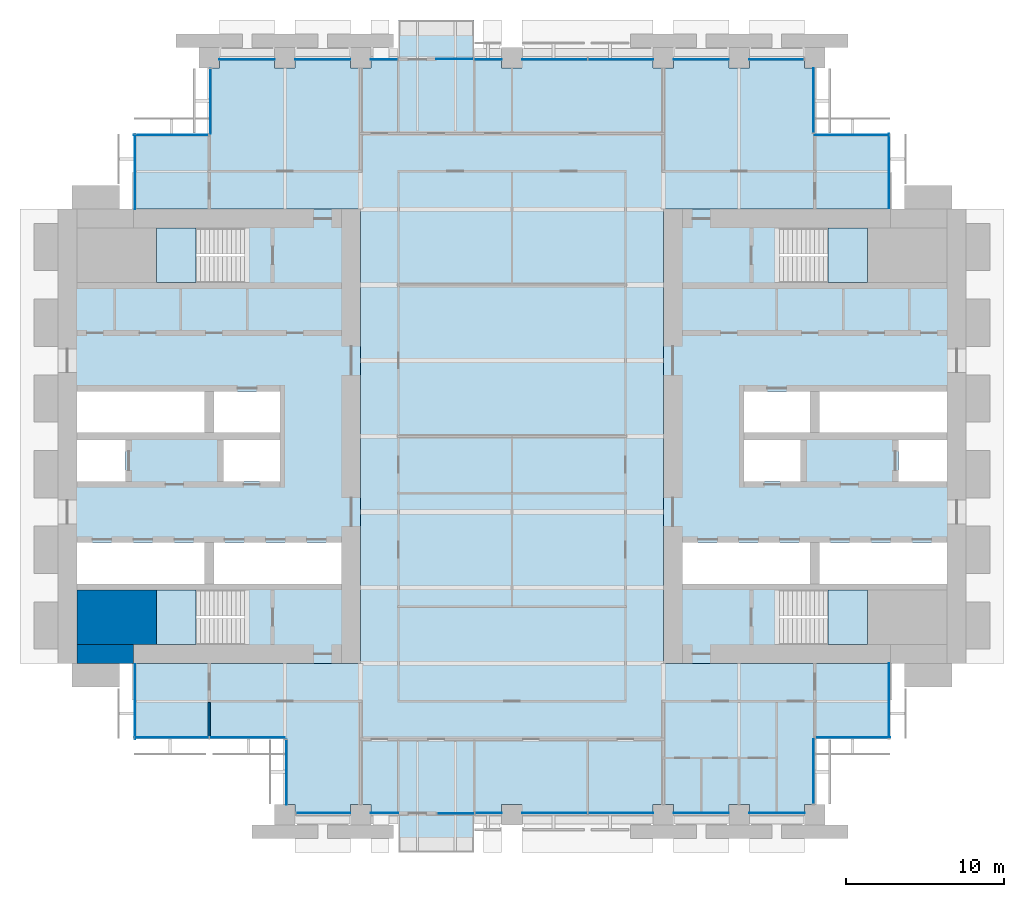
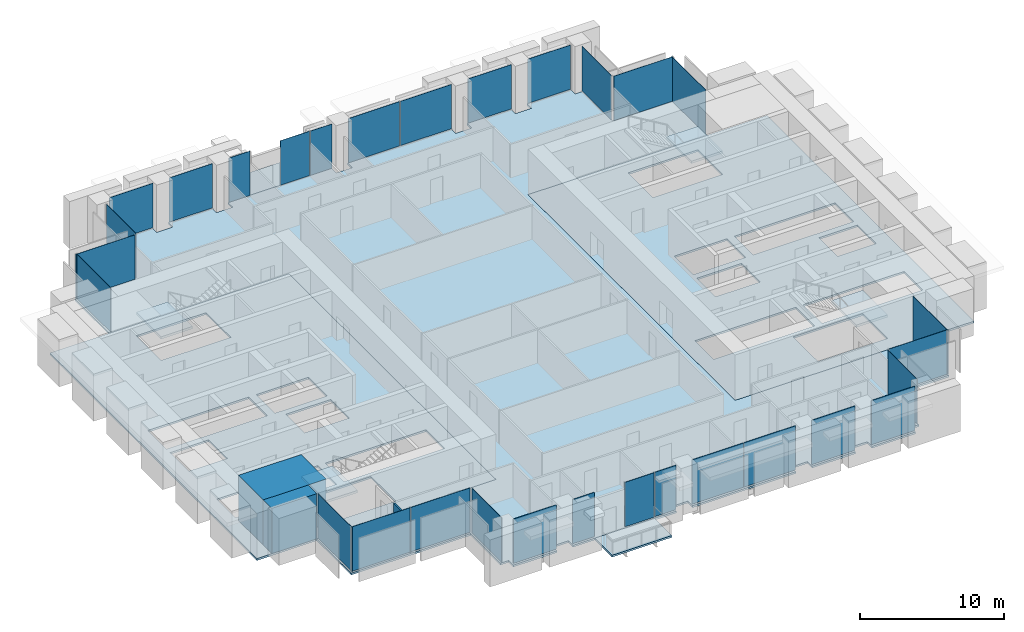
# One storey, part 8 of 15: 30 plates, 9 slabs, 3 walls, 22 elements without a shape of their own.
"""IFC4 building model written with IfcOpenShell, lengths in metres."""

from ifc_helpers import new_model, si_unit, direction, frame, frame_2d, origin, origin_2d, place, context, subcontext, project, spatial, polyline, rectangle, outline, extrude, material, layer, layer_set, type_object, element, aggregate, save


model = new_model("IFC4")

# Units and contexts
model_context = context("Model", 3, precision=1e-05, world=origin(), true_north=direction((0.0, 1.0)))
body_context = subcontext(model_context, "Body", "Model", "MODEL_VIEW")
ifc_project = project(units=[si_unit("LENGTHUNIT", "METRE"), si_unit("AREAUNIT", "SQUARE_METRE"), si_unit("VOLUMEUNIT", "CUBIC_METRE"), si_unit("PLANEANGLEUNIT", "RADIAN"), si_unit("MASSUNIT", "GRAM", prefix="KILO")], contexts=[model_context])

# Site, building, storey
site_placement = place(None, origin())
site = spatial("IfcSite", under=ifc_project, at=site_placement, CompositionType="ELEMENT")
building_placement = place(site_placement, origin())
building = spatial("IfcBuilding", under=site, at=building_placement, Name="Baori Bourse Tower", CompositionType="ELEMENT")
storey_placement = place(building_placement, frame((0.0, 0.0, 47.0)))
storey = spatial("IfcBuildingStorey", under=building, at=storey_placement, Name="L09", CompositionType="ELEMENT", Elevation=47.0)

# Slabs
ifc_material_1 = material(Name="Concrete f'c 40 MPa", Category="concrete")
ifc_layer_1 = layer(ifc_material_1, 0.159912109375)
ifc_layer_set_1 = layer_set([ifc_layer_1], Name="BL2 Balcony slab 160")
slab_type_1 = type_object("IfcSlabType", Name="BL2 Balcony slab 160", PredefinedType="FLOOR", material=ifc_layer_set_1)
slab_1_placement = place(storey_placement, frame((0.0, 0.0, -0.159912109375)))
element("IfcSlab", 1, at=slab_1_placement, inside=storey, type_object=slab_type_1, Name="Balcony slab L09 S", PredefinedType="FLOOR", context=body_context, shape_type="SweptSolid", body=[
    extrude(outline(polyline([(21.60009765625, 0.0), (21.60009765625, -2.39990234375), (26.39990234375, -2.39990234375), (26.39990234375, 0.0), (21.60009765625, 0.0)])), origin(), (0.0, 0.0, 1.0), 0.159912109375),
])
slab_2_placement = place(storey_placement, frame((0.0, 0.0, -0.159912109375)))
element("IfcSlab", 2, at=slab_2_placement, inside=storey, type_object=slab_type_1, Name="Balcony slab L09 N", PredefinedType="FLOOR", context=body_context, shape_type="SweptSolid", body=[
    extrude(outline(polyline([(21.60009765625, 48.0), (26.39990234375, 48.0), (26.39990234375, 50.39990234375), (21.60009765625, 50.39990234375), (21.60009765625, 48.0)])), origin(), (0.0, 0.0, 1.0), 0.159912109375),
])

# Curtain wall, plates
ifc_material_2 = material(Name="Pale anodised aluminium", Category="aluminium")
curtain_wall_type_1 = type_object("IfcCurtainWallType", Name="CW1 Curtain wall", PredefinedType="NOTDEFINED", material=ifc_material_2)
curtain_wall_1_placement = place(storey_placement, origin())
curtain_wall_1 = element("IfcCurtainWall", 3, at=curtain_wall_1_placement, inside=storey, type_object=curtain_wall_type_1, Name="Curtain wall CW1 L09 4", PredefinedType="NOTDEFINED")
ifc_material_3 = material(Name="Clear glass", Category="glass")
ifc_layer_2 = layer(ifc_material_3, 0.033935546875)
ifc_layer_set_2 = layer_set([ifc_layer_2], Name="CW1 Curtain wall panel")
plate_type_1 = type_object("IfcPlateType", Name="CW1 Curtain wall panel", PredefinedType="CURTAIN_PANEL", material=ifc_layer_set_2)
plate_1_placement = place(storey_placement, frame((45.570068359375, 47.89990234375, 0.080078125), z_axis=(0.0, 0.0, 1.0), x_axis=(-1.0, 0.0, 0.0)))
plate_1 = element("IfcPlate", 4, at=plate_1_placement, type_object=plate_type_1, Name="Curtain wall CW1 panel", PredefinedType="CURTAIN_PANEL", context=body_context, shape_type="SweptSolid", body=[
    extrude(rectangle(XDim=3.43994140625, YDim=0.033935546875, at=origin_2d()), origin(), (0.0, 0.0, 1.0), 3.760009765625),
])
plate_2_placement = place(storey_placement, frame((40.800048828125, 47.89990234375, 0.080078125), z_axis=(0.0, 0.0, 1.0), x_axis=(-1.0, 0.0, 0.0)))
plate_2 = element("IfcPlate", 5, at=plate_2_placement, type_object=plate_type_1, Name="Curtain wall CW1 panel", PredefinedType="CURTAIN_PANEL", context=body_context, shape_type="SweptSolid", body=[
    extrude(rectangle(XDim=3.5, YDim=0.033935546875, at=origin_2d()), origin(), (0.0, 0.0, 1.0), 3.760009765625),
])
plate_3_placement = place(storey_placement, frame((35.68994140625, 47.89990234375, 0.080078125), z_axis=(0.0, 0.0, 1.0), x_axis=(-1.0, 0.0, 0.0)))
plate_3 = element("IfcPlate", 6, at=plate_3_placement, type_object=plate_type_1, Name="Curtain wall CW1 panel", PredefinedType="CURTAIN_PANEL", context=body_context, shape_type="SweptSolid", body=[
    extrude(rectangle(XDim=4.1201171875, YDim=0.033935546875, at=origin_2d()), origin(), (0.0, 0.0, 1.0), 3.760009765625),
])
plate_4_placement = place(storey_placement, frame((31.510009765625, 47.89990234375, 0.080078125), z_axis=(0.0, 0.0, 1.0), x_axis=(-1.0, 0.0, 0.0)))
plate_4 = element("IfcPlate", 7, at=plate_4_placement, type_object=plate_type_1, Name="Curtain wall CW1 panel", PredefinedType="CURTAIN_PANEL", context=body_context, shape_type="SweptSolid", body=[
    extrude(rectangle(XDim=4.1201171875, YDim=0.033935546875, at=origin_2d()), origin(), (0.0, 0.0, 1.0), 3.760009765625),
])
plate_5_placement = place(storey_placement, frame((27.27490234375, 47.89990234375, 0.080078125), z_axis=(0.0, 0.0, 1.0), x_axis=(-1.0, 0.0, 0.0)))
plate_5 = element("IfcPlate", 8, at=plate_5_placement, type_object=plate_type_1, Name="Curtain wall CW1 panel", PredefinedType="CURTAIN_PANEL", context=body_context, shape_type="SweptSolid", body=[
    extrude(rectangle(XDim=1.75, YDim=0.033935546875, at=origin_2d()), origin(), (0.0, 0.0, 1.0), 3.760009765625),
])
aggregate(curtain_wall_1, [plate_1, plate_2, plate_3, plate_4, plate_5])

curtain_wall_2_placement = place(storey_placement, origin())
curtain_wall_2 = element("IfcCurtainWall", 9, at=curtain_wall_2_placement, inside=storey, type_object=curtain_wall_type_1, Name="Curtain wall CW1 L09 6", PredefinedType="NOTDEFINED")
plate_6_placement = place(storey_placement, frame((20.695068359375, 47.89990234375, 0.080078125), z_axis=(0.0, 0.0, 1.0), x_axis=(-1.0, 0.0, 0.0)))
plate_6 = element("IfcPlate", 10, at=plate_6_placement, type_object=plate_type_1, Name="Curtain wall CW1 panel", PredefinedType="CURTAIN_PANEL", context=body_context, shape_type="SweptSolid", body=[
    extrude(rectangle(XDim=1.68994140625, YDim=0.033935546875, at=origin_2d()), origin(), (0.0, 0.0, 1.0), 3.760009765625),
])
plate_7_placement = place(storey_placement, frame((16.800048828125, 47.89990234375, 0.080078125), z_axis=(0.0, 0.0, 1.0), x_axis=(-1.0, 0.0, 0.0)))
plate_7 = element("IfcPlate", 11, at=plate_7_placement, type_object=plate_type_1, Name="Curtain wall CW1 panel", PredefinedType="CURTAIN_PANEL", context=body_context, shape_type="SweptSolid", body=[
    extrude(rectangle(XDim=3.5, YDim=0.033935546875, at=origin_2d()), origin(), (0.0, 0.0, 1.0), 3.760009765625),
])
plate_8_placement = place(storey_placement, frame((12.0, 47.89990234375, 0.080078125), z_axis=(0.0, 0.0, 1.0), x_axis=(-1.0, 0.0, 0.0)))
plate_8 = element("IfcPlate", 12, at=plate_8_placement, type_object=plate_type_1, Name="Curtain wall CW1 panel", PredefinedType="CURTAIN_PANEL", context=body_context, shape_type="SweptSolid", body=[
    extrude(rectangle(XDim=3.5, YDim=0.033935546875, at=origin_2d()), origin(), (0.0, 0.0, 1.0), 3.760009765625),
])
aggregate(curtain_wall_2, [plate_6, plate_7, plate_8])

curtain_wall_3_placement = place(storey_placement, origin())
curtain_wall_3 = element("IfcCurtainWall", 13, at=curtain_wall_3_placement, inside=storey, type_object=curtain_wall_type_1, Name="Curtain wall CW1 L09 13", PredefinedType="NOTDEFINED")
plate_9_placement = place(storey_placement, frame((16.830078125, 0.10009765625, 0.080078125), z_axis=(0.0, 0.0, 1.0), x_axis=(1.0, 0.0, 0.0)))
plate_9 = element("IfcPlate", 14, at=plate_9_placement, type_object=plate_type_1, Name="Curtain wall CW1 panel", PredefinedType="CURTAIN_PANEL", context=body_context, shape_type="SweptSolid", body=[
    extrude(rectangle(XDim=3.43994140625, YDim=0.033935546875, at=origin_2d()), origin(), (0.0, 0.0, 1.0), 3.760009765625),
])
plate_10_placement = place(storey_placement, frame((20.72509765625, 0.10009765625, 0.080078125), z_axis=(0.0, 0.0, 1.0), x_axis=(1.0, 0.0, 0.0)))
plate_10 = element("IfcPlate", 15, at=plate_10_placement, type_object=plate_type_1, Name="Curtain wall CW1 panel", PredefinedType="CURTAIN_PANEL", context=body_context, shape_type="SweptSolid", body=[
    extrude(rectangle(XDim=1.75, YDim=0.033935546875, at=origin_2d()), origin(), (0.0, 0.0, 1.0), 3.760009765625),
])
aggregate(curtain_wall_3, [plate_9, plate_10])

curtain_wall_4_placement = place(storey_placement, origin())
curtain_wall_4 = element("IfcCurtainWall", 16, at=curtain_wall_4_placement, inside=storey, type_object=curtain_wall_type_1, Name="Curtain wall CW1 L09 15", PredefinedType="NOTDEFINED")
plate_11_placement = place(storey_placement, frame((27.304931640625, 0.10009765625, 0.080078125), z_axis=(0.0, 0.0, 1.0), x_axis=(1.0, 0.0, 0.0)))
plate_11 = element("IfcPlate", 17, at=plate_11_placement, type_object=plate_type_1, Name="Curtain wall CW1 panel", PredefinedType="CURTAIN_PANEL", context=body_context, shape_type="SweptSolid", body=[
    extrude(rectangle(XDim=1.68994140625, YDim=0.033935546875, at=origin_2d()), origin(), (0.0, 0.0, 1.0), 3.760009765625),
])
plate_12_placement = place(storey_placement, frame((31.510009765625, 0.10009765625, 0.080078125), z_axis=(0.0, 0.0, 1.0), x_axis=(1.0, 0.0, 0.0)))
plate_12 = element("IfcPlate", 18, at=plate_12_placement, type_object=plate_type_1, Name="Curtain wall CW1 panel", PredefinedType="CURTAIN_PANEL", context=body_context, shape_type="SweptSolid", body=[
    extrude(rectangle(XDim=4.1201171875, YDim=0.033935546875, at=origin_2d()), origin(), (0.0, 0.0, 1.0), 3.760009765625),
])
plate_13_placement = place(storey_placement, frame((35.68994140625, 0.10009765625, 0.080078125), z_axis=(0.0, 0.0, 1.0), x_axis=(1.0, 0.0, 0.0)))
plate_13 = element("IfcPlate", 19, at=plate_13_placement, type_object=plate_type_1, Name="Curtain wall CW1 panel", PredefinedType="CURTAIN_PANEL", context=body_context, shape_type="SweptSolid", body=[
    extrude(rectangle(XDim=4.1201171875, YDim=0.033935546875, at=origin_2d()), origin(), (0.0, 0.0, 1.0), 3.760009765625),
])
plate_14_placement = place(storey_placement, frame((40.800048828125, 0.10009765625, 0.080078125), z_axis=(0.0, 0.0, 1.0), x_axis=(1.0, 0.0, 0.0)))
plate_14 = element("IfcPlate", 20, at=plate_14_placement, type_object=plate_type_1, Name="Curtain wall CW1 panel", PredefinedType="CURTAIN_PANEL", context=body_context, shape_type="SweptSolid", body=[
    extrude(rectangle(XDim=3.5, YDim=0.033935546875, at=origin_2d()), origin(), (0.0, 0.0, 1.0), 3.760009765625),
])
plate_15_placement = place(storey_placement, frame((45.60009765625, 0.10009765625, 0.080078125), z_axis=(0.0, 0.0, 1.0), x_axis=(1.0, 0.0, 0.0)))
plate_15 = element("IfcPlate", 21, at=plate_15_placement, type_object=plate_type_1, Name="Curtain wall CW1 panel", PredefinedType="CURTAIN_PANEL", context=body_context, shape_type="SweptSolid", body=[
    extrude(rectangle(XDim=3.5, YDim=0.033935546875, at=origin_2d()), origin(), (0.0, 0.0, 1.0), 3.760009765625),
])
aggregate(curtain_wall_4, [plate_11, plate_12, plate_13, plate_14, plate_15])

# Curtain wall, plate
ifc_material_4 = material(Name="Pale anodised aluminium", Category="aluminium")
curtain_wall_type_2 = type_object("IfcCurtainWallType", Name="CW2 Curtain wall", PredefinedType="NOTDEFINED", material=ifc_material_4)
curtain_wall_5_placement = place(storey_placement, origin())
curtain_wall_5 = element("IfcCurtainWall", 22, at=curtain_wall_5_placement, inside=storey, type_object=curtain_wall_type_2, Name="Curtain wall CW2 L09 1", PredefinedType="NOTDEFINED")
ifc_material_5 = material(Name="Clear glass", Category="glass")
ifc_layer_3 = layer(ifc_material_5, 0.030029296875)
ifc_layer_set_3 = layer_set([ifc_layer_3], Name="CW2 Curtain wall panel")
plate_type_2 = type_object("IfcPlateType", Name="CW2 Curtain wall panel", PredefinedType="CURTAIN_PANEL", material=ifc_layer_set_3)
plate_16_placement = place(storey_placement, frame((52.7099609375, 40.827392578125, 0.070068359375), z_axis=(0.0, 0.0, 1.0), x_axis=(0.0, 1.0, 0.0)))
plate_16 = element("IfcPlate", 23, at=plate_16_placement, type_object=plate_type_2, Name="Curtain wall CW2 panel", PredefinedType="CURTAIN_PANEL", context=body_context, shape_type="SweptSolid", body=[
    extrude(rectangle(XDim=4.7451171875, YDim=0.030029296875, at=origin_2d()), origin(), (0.0, 0.0, 1.0), 3.77001953125),
])
aggregate(curtain_wall_5, [plate_16])

curtain_wall_6_placement = place(storey_placement, origin())
curtain_wall_6 = element("IfcCurtainWall", 24, at=curtain_wall_6_placement, inside=storey, type_object=curtain_wall_type_2, Name="Curtain wall CW2 L09 2", PredefinedType="NOTDEFINED")
plate_17_placement = place(storey_placement, frame((50.37255859375, 43.110107421875, 0.070068359375), z_axis=(0.0, 0.0, 1.0), x_axis=(-1.0, 0.0, 0.0)))
plate_17 = element("IfcPlate", 25, at=plate_17_placement, type_object=plate_type_2, Name="Curtain wall CW2 panel", PredefinedType="CURTAIN_PANEL", context=body_context, shape_type="SweptSolid", body=[
    extrude(rectangle(XDim=4.7451171875, YDim=0.030029296875, at=origin_2d()), origin(), (0.0, 0.0, 1.0), 3.77001953125),
])
aggregate(curtain_wall_6, [plate_17])

curtain_wall_7_placement = place(storey_placement, origin())
curtain_wall_7 = element("IfcCurtainWall", 26, at=curtain_wall_7_placement, inside=storey, type_object=curtain_wall_type_2, Name="Curtain wall CW2 L09 3", PredefinedType="NOTDEFINED")
plate_18_placement = place(storey_placement, frame((47.909912109375, 45.302490234375, 0.070068359375), z_axis=(0.0, 0.0, 1.0), x_axis=(0.0, 1.0, 0.0)))
plate_18 = element("IfcPlate", 27, at=plate_18_placement, type_object=plate_type_2, Name="Curtain wall CW2 panel", PredefinedType="CURTAIN_PANEL", context=body_context, shape_type="SweptSolid", body=[
    extrude(rectangle(XDim=4.094970703125, YDim=0.030029296875, at=origin_2d()), origin(), (0.0, 0.0, 1.0), 3.77001953125),
])
aggregate(curtain_wall_7, [plate_18])

curtain_wall_8_placement = place(storey_placement, origin())
curtain_wall_8 = element("IfcCurtainWall", 28, at=curtain_wall_8_placement, inside=storey, type_object=curtain_wall_type_2, Name="Curtain wall CW2 L09 7", PredefinedType="NOTDEFINED")
plate_19_placement = place(storey_placement, frame((9.68994140625, 45.24755859375, 0.070068359375), z_axis=(0.0, 0.0, 1.0), x_axis=(0.0, -1.0, 0.0)))
plate_19 = element("IfcPlate", 29, at=plate_19_placement, type_object=plate_type_2, Name="Curtain wall CW2 panel", PredefinedType="CURTAIN_PANEL", context=body_context, shape_type="SweptSolid", body=[
    extrude(rectangle(XDim=4.094970703125, YDim=0.030029296875, at=origin_2d()), origin(), (0.0, 0.0, 1.0), 3.77001953125),
])
aggregate(curtain_wall_8, [plate_19])

curtain_wall_9_placement = place(storey_placement, origin())
curtain_wall_9 = element("IfcCurtainWall", 30, at=curtain_wall_9_placement, inside=storey, type_object=curtain_wall_type_2, Name="Curtain wall CW2 L09 8", PredefinedType="NOTDEFINED")
plate_20_placement = place(storey_placement, frame((7.172607421875, 43.110107421875, 0.070068359375), z_axis=(0.0, 0.0, 1.0), x_axis=(-1.0, 0.0, 0.0)))
plate_20 = element("IfcPlate", 31, at=plate_20_placement, type_object=plate_type_2, Name="Curtain wall CW2 panel", PredefinedType="CURTAIN_PANEL", context=body_context, shape_type="SweptSolid", body=[
    extrude(rectangle(XDim=4.7451171875, YDim=0.030029296875, at=origin_2d()), origin(), (0.0, 0.0, 1.0), 3.77001953125),
])
aggregate(curtain_wall_9, [plate_20])

curtain_wall_10_placement = place(storey_placement, origin())
curtain_wall_10 = element("IfcCurtainWall", 32, at=curtain_wall_10_placement, inside=storey, type_object=curtain_wall_type_2, Name="Curtain wall CW2 L09 9", PredefinedType="NOTDEFINED")
plate_21_placement = place(storey_placement, frame((4.889892578125, 40.7724609375, 0.070068359375), z_axis=(0.0, 0.0, 1.0), x_axis=(0.0, -1.0, 0.0)))
plate_21 = element("IfcPlate", 33, at=plate_21_placement, type_object=plate_type_2, Name="Curtain wall CW2 panel", PredefinedType="CURTAIN_PANEL", context=body_context, shape_type="SweptSolid", body=[
    extrude(rectangle(XDim=4.7451171875, YDim=0.030029296875, at=origin_2d()), origin(), (0.0, 0.0, 1.0), 3.77001953125),
])
aggregate(curtain_wall_10, [plate_21])

curtain_wall_11_placement = place(storey_placement, origin())
curtain_wall_11 = element("IfcCurtainWall", 34, at=curtain_wall_11_placement, inside=storey, type_object=curtain_wall_type_2, Name="Curtain wall CW2 L09 10", PredefinedType="NOTDEFINED")
plate_22_placement = place(storey_placement, frame((4.889892578125, 7.172607421875, 0.070068359375), z_axis=(0.0, 0.0, 1.0), x_axis=(0.0, -1.0, 0.0)))
plate_22 = element("IfcPlate", 35, at=plate_22_placement, type_object=plate_type_2, Name="Curtain wall CW2 panel", PredefinedType="CURTAIN_PANEL", context=body_context, shape_type="SweptSolid", body=[
    extrude(rectangle(XDim=4.7451171875, YDim=0.030029296875, at=origin_2d()), origin(), (0.0, 0.0, 1.0), 3.77001953125),
])
aggregate(curtain_wall_11, [plate_22])

# Curtain wall, plates
curtain_wall_12_placement = place(storey_placement, origin())
curtain_wall_12 = element("IfcCurtainWall", 36, at=curtain_wall_12_placement, inside=storey, type_object=curtain_wall_type_2, Name="Curtain wall CW2 L09 11", PredefinedType="NOTDEFINED")
plate_23_placement = place(storey_placement, frame((7.2138671875, 4.889892578125, 0.070068359375), z_axis=(0.0, 0.0, 1.0), x_axis=(1.0, 0.0, 0.0)))
plate_23 = element("IfcPlate", 37, at=plate_23_placement, type_object=plate_type_2, Name="Curtain wall CW2 panel", PredefinedType="CURTAIN_PANEL", context=body_context, shape_type="SweptSolid", body=[
    extrude(rectangle(XDim=4.717529296875, YDim=0.030029296875, at=origin_2d()), origin(), (0.0, 0.0, 1.0), 3.77001953125),
])
plate_24_placement = place(storey_placement, frame((12.013671875, 4.889892578125, 0.070068359375), z_axis=(0.0, 0.0, 1.0), x_axis=(1.0, 0.0, 0.0)))
plate_24 = element("IfcPlate", 38, at=plate_24_placement, type_object=plate_type_2, Name="Curtain wall CW2 panel", PredefinedType="CURTAIN_PANEL", context=body_context, shape_type="SweptSolid", body=[
    extrude(rectangle(XDim=4.7724609375, YDim=0.030029296875, at=origin_2d()), origin(), (0.0, 0.0, 1.0), 3.77001953125),
])
aggregate(curtain_wall_12, [plate_23, plate_24])

# Curtain wall, plate
curtain_wall_13_placement = place(storey_placement, origin())
curtain_wall_13 = element("IfcCurtainWall", 39, at=curtain_wall_13_placement, inside=storey, type_object=curtain_wall_type_2, Name="Curtain wall CW2 L09 12", PredefinedType="NOTDEFINED")
plate_25_placement = place(storey_placement, frame((14.489990234375, 2.697509765625, 0.070068359375), z_axis=(0.0, 0.0, 1.0), x_axis=(0.0, -1.0, 0.0)))
plate_25 = element("IfcPlate", 40, at=plate_25_placement, type_object=plate_type_2, Name="Curtain wall CW2 panel", PredefinedType="CURTAIN_PANEL", context=body_context, shape_type="SweptSolid", body=[
    extrude(rectangle(XDim=4.094970703125, YDim=0.030029296875, at=origin_2d()), origin(), (0.0, 0.0, 1.0), 3.77001953125),
])
aggregate(curtain_wall_13, [plate_25])

curtain_wall_14_placement = place(storey_placement, origin())
curtain_wall_14 = element("IfcCurtainWall", 41, at=curtain_wall_14_placement, inside=storey, type_object=curtain_wall_type_2, Name="Curtain wall CW2 L09 16", PredefinedType="NOTDEFINED")
plate_26_placement = place(storey_placement, frame((47.909912109375, 2.75244140625, 0.070068359375), z_axis=(0.0, 0.0, 1.0), x_axis=(0.0, 1.0, 0.0)))
plate_26 = element("IfcPlate", 42, at=plate_26_placement, type_object=plate_type_2, Name="Curtain wall CW2 panel", PredefinedType="CURTAIN_PANEL", context=body_context, shape_type="SweptSolid", body=[
    extrude(rectangle(XDim=4.094970703125, YDim=0.030029296875, at=origin_2d()), origin(), (0.0, 0.0, 1.0), 3.77001953125),
])
aggregate(curtain_wall_14, [plate_26])

curtain_wall_15_placement = place(storey_placement, origin())
curtain_wall_15 = element("IfcCurtainWall", 43, at=curtain_wall_15_placement, inside=storey, type_object=curtain_wall_type_2, Name="Curtain wall CW2 L09 17", PredefinedType="NOTDEFINED")
plate_27_placement = place(storey_placement, frame((50.427490234375, 4.889892578125, 0.070068359375), z_axis=(0.0, 0.0, 1.0), x_axis=(1.0, 0.0, 0.0)))
plate_27 = element("IfcPlate", 44, at=plate_27_placement, type_object=plate_type_2, Name="Curtain wall CW2 panel", PredefinedType="CURTAIN_PANEL", context=body_context, shape_type="SweptSolid", body=[
    extrude(rectangle(XDim=4.7451171875, YDim=0.030029296875, at=origin_2d()), origin(), (0.0, 0.0, 1.0), 3.77001953125),
])
aggregate(curtain_wall_15, [plate_27])

curtain_wall_16_placement = place(storey_placement, origin())
curtain_wall_16 = element("IfcCurtainWall", 45, at=curtain_wall_16_placement, inside=storey, type_object=curtain_wall_type_2, Name="Curtain wall CW2 L09 18", PredefinedType="NOTDEFINED")
plate_28_placement = place(storey_placement, frame((52.7099609375, 7.2275390625, 0.070068359375), z_axis=(0.0, 0.0, 1.0), x_axis=(0.0, 1.0, 0.0)))
plate_28 = element("IfcPlate", 46, at=plate_28_placement, type_object=plate_type_2, Name="Curtain wall CW2 panel", PredefinedType="CURTAIN_PANEL", context=body_context, shape_type="SweptSolid", body=[
    extrude(rectangle(XDim=4.7451171875, YDim=0.030029296875, at=origin_2d()), origin(), (0.0, 0.0, 1.0), 3.77001953125),
])
aggregate(curtain_wall_16, [plate_28])

ifc_material_6 = material(Name="Pale anodised aluminium", Category="aluminium")
curtain_wall_type_3 = type_object("IfcCurtainWallType", Name="CW6 Curtain wall", PredefinedType="NOTDEFINED", material=ifc_material_6)
curtain_wall_17_placement = place(storey_placement, origin())
curtain_wall_17 = element("IfcCurtainWall", 47, at=curtain_wall_17_placement, inside=storey, type_object=curtain_wall_type_3, Name="Curtain wall CW6 L09 5", PredefinedType="NOTDEFINED")
ifc_material_7 = material(Name="Clear glass", Category="glass")
ifc_layer_4 = layer(ifc_material_7, 0.028076171875)
ifc_layer_set_4 = layer_set([ifc_layer_4], Name="CW6 Curtain wall panel")
plate_type_3 = type_object("IfcPlateType", Name="CW6 Curtain wall panel", PredefinedType="CURTAIN_PANEL", material=ifc_layer_set_4)
plate_29_placement = place(storey_placement, frame((25.175048828125, 47.925048828125, 0.06494140625), z_axis=(0.0, 0.0, 1.0), x_axis=(-1.0, 0.0, 0.0)))
plate_29 = element("IfcPlate", 48, at=plate_29_placement, type_object=plate_type_3, Name="Curtain wall CW6 panel", PredefinedType="CURTAIN_PANEL", context=body_context, shape_type="SweptSolid", body=[
    extrude(rectangle(XDim=2.35009765625, YDim=0.028076171875, at=origin_2d()), origin(), (0.0, 0.0, 1.0), 3.77490234375),
])
aggregate(curtain_wall_17, [plate_29])

curtain_wall_18_placement = place(storey_placement, origin())
curtain_wall_18 = element("IfcCurtainWall", 49, at=curtain_wall_18_placement, inside=storey, type_object=curtain_wall_type_3, Name="Curtain wall CW6 L09 14", PredefinedType="NOTDEFINED")
plate_30_placement = place(storey_placement, frame((25.22509765625, 0.074951171875, 0.06494140625), z_axis=(0.0, 0.0, 1.0), x_axis=(1.0, 0.0, 0.0)))
plate_30 = element("IfcPlate", 50, at=plate_30_placement, type_object=plate_type_3, Name="Curtain wall CW6 panel", PredefinedType="CURTAIN_PANEL", context=body_context, shape_type="SweptSolid", body=[
    extrude(rectangle(XDim=2.35009765625, YDim=0.028076171875, at=origin_2d()), origin(), (0.0, 0.0, 1.0), 3.77490234375),
])
aggregate(curtain_wall_18, [plate_30])

# Slabs
ifc_material_8 = material(Name="Concrete f'c 50 MPa", Category="concrete")
ifc_layer_5 = layer(ifc_material_8, 0.159912109375)
ifc_layer_set_5 = layer_set([ifc_layer_5], Name="Core slab 160")
slab_type_2 = type_object("IfcSlabType", Name="Core slab 160", PredefinedType="FLOOR", material=ifc_layer_set_5)
slab_3_placement = place(storey_placement, frame((0.0, 0.0, -0.159912109375)))
element("IfcSlab", 51, at=slab_3_placement, inside=storey, type_object=slab_type_2, Name="Core floor slab W01", PredefinedType="FLOOR", context=body_context, shape_type="SweptSolid", body=[
    extrude(outline(polyline([(19.199951171875, 9.60009765625), (19.199951171875, 38.39990234375), (0.0, 38.39990234375), (0.0, 9.60009765625), (19.199951171875, 9.60009765625)]), holes=[polyline([(9.89990234375, 14.64990234375), (9.89990234375, 17.25), (18.0, 17.25), (18.0, 14.64990234375), (9.89990234375, 14.64990234375)]), polyline([(10.5, 21.14990234375), (10.5, 23.75), (14.10009765625, 23.75), (14.10009765625, 21.14990234375), (10.5, 21.14990234375)]), polyline([(14.10009765625, 24.25), (9.89990234375, 24.25), (9.89990234375, 26.85009765625), (14.10009765625, 26.85009765625), (14.10009765625, 24.25)]), polyline([(6.25, 14.25), (11.84912109375, 14.25), (11.84912109375, 10.800048828125), (6.25, 10.800048828125), (6.25, 14.25)]), polyline([(11.84912109375, 37.199951171875), (11.84912109375, 33.75), (6.25, 33.75), (6.25, 37.199951171875), (11.84912109375, 37.199951171875)]), polyline([(1.199951171875, 26.85009765625), (9.300048828125, 26.85009765625), (9.300048828125, 24.25), (1.199951171875, 24.25), (1.199951171875, 26.85009765625)]), polyline([(9.300048828125, 14.64990234375), (1.199951171875, 14.64990234375), (1.199951171875, 17.25), (9.300048828125, 17.25), (9.300048828125, 14.64990234375)]), polyline([(4.300048828125, 23.75), (4.300048828125, 21.14990234375), (1.199951171875, 21.14990234375), (1.199951171875, 23.75), (4.300048828125, 23.75)])]), origin(), (0.0, 0.0, 1.0), 0.159912109375),
])
slab_4_placement = place(storey_placement, frame((0.0, 0.0, -0.159912109375)))
element("IfcSlab", 52, at=slab_4_placement, inside=storey, type_object=slab_type_2, Name="Core floor slab E01", PredefinedType="FLOOR", context=body_context, shape_type="SweptSolid", body=[
    extrude(outline(polyline([(38.39990234375, 9.60009765625), (57.60009765625, 9.60009765625), (57.60009765625, 38.39990234375), (38.39990234375, 38.39990234375), (38.39990234375, 9.60009765625)]), holes=[polyline([(48.300048828125, 14.64990234375), (48.300048828125, 17.25), (56.39990234375, 17.25), (56.39990234375, 14.64990234375), (48.300048828125, 14.64990234375)]), polyline([(56.39990234375, 21.14990234375), (53.300048828125, 21.14990234375), (53.300048828125, 23.75), (56.39990234375, 23.75), (56.39990234375, 21.14990234375)]), polyline([(56.39990234375, 26.85009765625), (56.39990234375, 24.25), (48.300048828125, 24.25), (48.300048828125, 26.85009765625), (56.39990234375, 26.85009765625)]), polyline([(45.750732421875, 14.25), (51.35009765625, 14.25), (51.35009765625, 10.800048828125), (45.750732421875, 10.800048828125), (45.750732421875, 14.25)]), polyline([(51.35009765625, 37.199951171875), (51.35009765625, 33.75), (45.750732421875, 33.75), (45.750732421875, 37.199951171875), (51.35009765625, 37.199951171875)]), polyline([(39.60009765625, 17.25), (47.699951171875, 17.25), (47.699951171875, 14.64990234375), (39.60009765625, 14.64990234375), (39.60009765625, 17.25)]), polyline([(43.5, 24.25), (43.5, 26.85009765625), (47.699951171875, 26.85009765625), (47.699951171875, 24.25), (43.5, 24.25)]), polyline([(43.5, 23.75), (47.10009765625, 23.75), (47.10009765625, 21.14990234375), (43.5, 21.14990234375), (43.5, 23.75)])]), origin(), (0.0, 0.0, 1.0), 0.159912109375),
])

# Stair, slab
ifc_material_9 = material(Name="Concrete f'c 50 MPa", Category="concrete")
stair_type = type_object("IfcStairType", Name="Core stair", PredefinedType="HALF_TURN_STAIR", material=ifc_material_9)
stair_1_placement = place(storey_placement, origin())
stair_1 = element("IfcStair", 53, at=stair_1_placement, inside=storey, type_object=stair_type, Name="L09 Stair WA", PredefinedType="HALF_TURN_STAIR")
ifc_material_10 = material(Name="Concrete f'c 50 MPa", Category="concrete")
slab_type_3 = type_object("IfcSlabType", Name="Core stair landing", PredefinedType="LANDING", material=ifc_material_10)
slab_5_placement = place(storey_placement, frame((0.0, 0.0, 1.800048828125)))
slab_5 = element("IfcSlab", 54, at=slab_5_placement, type_object=slab_type_3, Name="ST1 landing 1", PredefinedType="LANDING", context=body_context, shape_type="SweptSolid", body=[
    extrude(outline(polyline([(8.77001953125, 14.25), (6.25, 14.25), (6.25, 10.800048828125), (8.77001953125, 10.800048828125), (8.77001953125, 14.25)])), origin(), (0.0, 0.0, 1.0), 0.199951171875),
])
aggregate(stair_1, [slab_5])

stair_2_placement = place(storey_placement, origin())
stair_2 = element("IfcStair", 55, at=stair_2_placement, inside=storey, type_object=stair_type, Name="L09 Stair WB", PredefinedType="HALF_TURN_STAIR")
slab_6_placement = place(storey_placement, frame((0.0, 0.0, 1.800048828125)))
slab_6 = element("IfcSlab", 56, at=slab_6_placement, type_object=slab_type_3, Name="ST2 landing 1", PredefinedType="LANDING", context=body_context, shape_type="SweptSolid", body=[
    extrude(outline(polyline([(8.77001953125, 37.199951171875), (6.25, 37.199951171875), (6.25, 33.75), (8.77001953125, 33.75), (8.77001953125, 37.199951171875)])), origin(), (0.0, 0.0, 1.0), 0.199951171875),
])
aggregate(stair_2, [slab_6])

stair_3_placement = place(storey_placement, origin())
stair_3 = element("IfcStair", 57, at=stair_3_placement, inside=storey, type_object=stair_type, Name="L09 Stair EA", PredefinedType="HALF_TURN_STAIR")
slab_7_placement = place(storey_placement, frame((0.0, 0.0, 1.800048828125)))
slab_7 = element("IfcSlab", 58, at=slab_7_placement, type_object=slab_type_3, Name="ST3 landing 1", PredefinedType="LANDING", context=body_context, shape_type="SweptSolid", body=[
    extrude(outline(polyline([(48.830078125, 10.800048828125), (51.35009765625, 10.800048828125), (51.35009765625, 14.25), (48.830078125, 14.25), (48.830078125, 10.800048828125)])), origin(), (0.0, 0.0, 1.0), 0.199951171875),
])
aggregate(stair_3, [slab_7])

stair_4_placement = place(storey_placement, origin())
stair_4 = element("IfcStair", 59, at=stair_4_placement, inside=storey, type_object=stair_type, Name="L09 Stair EB", PredefinedType="HALF_TURN_STAIR")
slab_8_placement = place(storey_placement, frame((0.0, 0.0, 1.800048828125)))
slab_8 = element("IfcSlab", 60, at=slab_8_placement, type_object=slab_type_3, Name="ST4 landing 1", PredefinedType="LANDING", context=body_context, shape_type="SweptSolid", body=[
    extrude(outline(polyline([(48.830078125, 33.75), (51.35009765625, 33.75), (51.35009765625, 37.199951171875), (48.830078125, 37.199951171875), (48.830078125, 33.75)])), origin(), (0.0, 0.0, 1.0), 0.199951171875),
])
aggregate(stair_4, [slab_8])

# Slab
ifc_material_11 = material(Name="Concrete f'c 40 MPa", Category="concrete")
ifc_layer_6 = layer(ifc_material_11, 0.159912109375)
ifc_layer_set_6 = layer_set([ifc_layer_6], Name="Floor slab 160")
slab_type_4 = type_object("IfcSlabType", Name="Floor slab 160", PredefinedType="FLOOR", material=ifc_layer_set_6)
slab_9_placement = place(storey_placement, frame((0.0, 0.0, -0.159912109375)))
element("IfcSlab", 61, at=slab_9_placement, inside=storey, type_object=slab_type_4, Name="Floor slab L09", PredefinedType="FLOOR", context=body_context, shape_type="SweptSolid", body=[
    extrude(outline(polyline([(14.39990234375, 4.800048828125), (4.800048828125, 4.800048828125), (4.800048828125, 9.60009765625), (19.199951171875, 9.60009765625), (19.199951171875, 38.39990234375), (4.800048828125, 38.39990234375), (4.800048828125, 43.199951171875), (9.60009765625, 43.199951171875), (9.60009765625, 47.35009765625), (10.25, 47.35009765625), (10.25, 48.0), (13.75, 48.0), (13.75, 47.35009765625), (15.050048828125, 47.35009765625), (15.050048828125, 48.0), (18.550048828125, 48.0), (18.550048828125, 47.35009765625), (19.85009765625, 47.35009765625), (19.85009765625, 48.0), (28.14990234375, 48.0), (28.14990234375, 47.35009765625), (29.449951171875, 47.35009765625), (29.449951171875, 48.0), (37.75, 48.0), (37.75, 47.35009765625), (39.050048828125, 47.35009765625), (39.050048828125, 48.0), (42.550048828125, 48.0), (42.550048828125, 47.35009765625), (43.85009765625, 47.35009765625), (43.85009765625, 48.0), (47.35009765625, 48.0), (47.35009765625, 47.35009765625), (48.0, 47.35009765625), (48.0, 43.199951171875), (52.800048828125, 43.199951171875), (52.800048828125, 38.39990234375), (38.39990234375, 38.39990234375), (38.39990234375, 9.60009765625), (52.800048828125, 9.60009765625), (52.800048828125, 4.800048828125), (48.0, 4.800048828125), (48.0, 0.64990234375), (47.35009765625, 0.64990234375), (47.35009765625, 0.0), (43.85009765625, 0.0), (43.85009765625, 0.64990234375), (42.550048828125, 0.64990234375), (42.550048828125, 0.0), (39.050048828125, 0.0), (39.050048828125, 0.64990234375), (37.75, 0.64990234375), (37.75, 0.0), (29.449951171875, 0.0), (29.449951171875, 0.64990234375), (28.14990234375, 0.64990234375), (28.14990234375, 0.0), (19.85009765625, 0.0), (19.85009765625, 0.64990234375), (18.550048828125, 0.64990234375), (18.550048828125, 0.0), (15.050048828125, 0.0), (15.050048828125, 0.64990234375), (14.39990234375, 0.64990234375), (14.39990234375, 4.800048828125)])), origin(), (0.0, 0.0, 1.0), 0.159912109375),
])

# Walls
ifc_material_12 = material(Name="Concrete f'c 70 MPa", Category="concrete")
wall_type_1 = type_object("IfcWallType", Name="Core corner block f'c 70", PredefinedType="SHEAR", material=ifc_material_12)
wall_1_placement = place(storey_placement, frame((1.199951171875, 12.52490234375, 0.0), z_axis=(0.0, 0.0, 1.0), x_axis=(1.0, 0.0, 0.0)))
element("IfcWall", 62, at=wall_1_placement, inside=storey, type_object=wall_type_1, Name="Core wall W05", PredefinedType="SHEAR", context=body_context, shape_type="SweptSolid", body=[
    extrude(rectangle(XDim=5.050048828125, YDim=3.449951171875, at=frame_2d((2.52490234375, 0.0))), origin(), (0.0, 0.0, 1.0), 3.840087890625),
])
ifc_material_13 = material(Name="Concrete f'c 70 MPa", Category="concrete")
ifc_layer_7 = layer(ifc_material_13, 1.199951171875)
ifc_layer_set_7 = layer_set([ifc_layer_7], Name="Core wall 1200 f'c 70")
wall_type_2 = type_object("IfcWallType", Name="Core wall 1200 f'c 70", PredefinedType="SHEAR", material=ifc_layer_set_7)
wall_2_placement = place(storey_placement, frame((4.800048828125, 10.199951171875, 0.0), z_axis=(0.0, 0.0, 1.0), x_axis=(-1.0, 0.0, 0.0)))
element("IfcWall", 63, at=wall_2_placement, inside=storey, type_object=wall_type_2, Name="Core wall W02", PredefinedType="SHEAR", context=body_context, shape_type="SweptSolid", body=[
    extrude(rectangle(XDim=3.60009765625, YDim=1.199951171875, at=frame_2d((1.800048828125, 0.0))), origin(), (0.0, 0.0, 1.0), 3.840087890625),
])
ifc_material_14 = material(Name="Gypsum board partition")
ifc_layer_8 = layer(ifc_material_14, 0.125)
ifc_layer_set_8 = layer_set([ifc_layer_8], Name="Partition 125")
wall_type_3 = type_object("IfcWallType", Name="Partition 125", PredefinedType="PARTITIONING", material=ifc_layer_set_8)
wall_3_placement = place(storey_placement, frame((9.60009765625, 4.89990234375, 0.0), z_axis=(0.0, 0.0, 1.0), x_axis=(0.0, 1.0, 0.0)))
element("IfcWall", 64, at=wall_3_placement, inside=storey, type_object=wall_type_3, Name="Partition", PredefinedType="PARTITIONING", context=body_context, shape_type="SweptSolid", body=[
    extrude(rectangle(XDim=2.22509765625, YDim=0.125, at=frame_2d((1.112548828125, 0.0))), origin(), (0.0, 0.0, 1.0), 2.86962890625),
])

save(model, "model.ifc")
